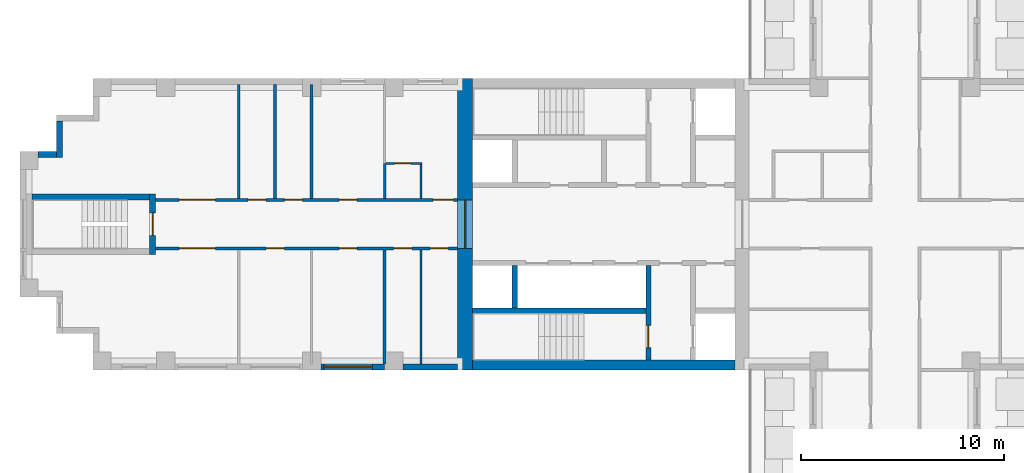
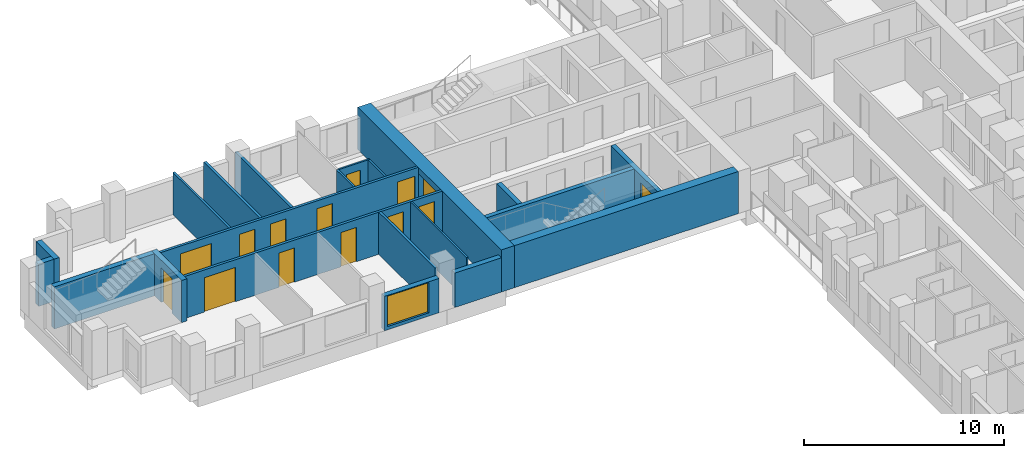
# One storey, part 6 of 16: 21 walls, 14 doors, 1 window, 15 openings.
"""IFC4 building model written with IfcOpenShell, lengths in metres."""

from ifc_helpers import new_model, si_unit, direction, frame, frame_2d, origin, place, context, subcontext, project, spatial, rectangle, extrude, material, layer, layer_set, type_object, element, fill, save


model = new_model("IFC4")

# Units and contexts
model_context = context("Model", 3, precision=1e-05, world=origin(), true_north=direction((0.0, 1.0)))
body_context = subcontext(model_context, "Body", "Model", "MODEL_VIEW")
ifc_project = project(units=[si_unit("LENGTHUNIT", "METRE"), si_unit("AREAUNIT", "SQUARE_METRE"), si_unit("VOLUMEUNIT", "CUBIC_METRE"), si_unit("PLANEANGLEUNIT", "RADIAN"), si_unit("MASSUNIT", "GRAM", prefix="KILO")], contexts=[model_context])

# Site, building, storey
site_placement = place(None, origin())
site = spatial("IfcSite", under=ifc_project, at=site_placement, CompositionType="ELEMENT")
building_placement = place(site_placement, origin())
building = spatial("IfcBuilding", under=site, at=building_placement, Name="Fustian Cross Tower", CompositionType="ELEMENT")
storey_placement = place(building_placement, frame((0.0, 0.0, 23.699951171875)))
storey = spatial("IfcBuildingStorey", under=building, at=storey_placement, Name="L06", CompositionType="ELEMENT", Elevation=23.699951171875)

# Wall, openings, doors
ifc_material_1 = material(Name="Plasterboard on steel stud", Category="steel")
ifc_layer_1 = layer(ifc_material_1, 0.14990234375)
ifc_layer_set_1 = layer_set([ifc_layer_1], Name="Plasterboard on steel stud")
wall_type_1 = type_object("IfcWallType", Name="COMPARTMENT WALL 150 EI 60", PredefinedType="PARTITIONING", material=ifc_layer_set_1)
wall_1_placement = place(storey_placement, frame((-36.5, -1.199951171875, 0.0), z_axis=(0.0, 0.0, 1.0), x_axis=(1.0, 0.0, 0.0)))
wall_1 = element("IfcWall", 1, at=wall_1_placement, inside=storey, type_object=wall_type_1, Name="Partition 1", PredefinedType="PARTITIONING", context=body_context, shape_type="SweptSolid", body=[
    extrude(rectangle(XDim=14.89990234375, YDim=0.14990234375, at=frame_2d((7.449951171875, 0.0))), origin(), (0.0, 0.0, 1.0), 2.574951171875),
])
opening_1_placement = place(wall_1_placement, frame((13.550048828125, 0.0, 0.0)))
opening_1 = element("IfcOpeningElement", 2, at=opening_1_placement, cuts=wall_1, Name="Opening D05039", PredefinedType="OPENING", context=body_context, shape_type="SweptSolid", body=[
    extrude(rectangle(XDim=0.89990234375, YDim=2.10009765625, at=frame_2d((0.449951171875, 1.050048828125))), frame((0.0, 0.0849609375, 0.0), z_axis=(0.0, -1.0, 0.0), x_axis=(1.0, 0.0, 0.0)), (0.0, 0.0, 1.0), 0.169921875),
])
opening_2_placement = place(wall_1_placement, frame((11.75, 0.0, 0.0)))
opening_2 = element("IfcOpeningElement", 3, at=opening_2_placement, cuts=wall_1, Name="Opening D05040", PredefinedType="OPENING", context=body_context, shape_type="SweptSolid", body=[
    extrude(rectangle(XDim=0.89990234375, YDim=2.10009765625, at=frame_2d((0.449951171875, 1.050048828125))), frame((0.0, 0.0849609375, 0.0), z_axis=(0.0, -1.0, 0.0), x_axis=(1.0, 0.0, 0.0)), (0.0, 0.0, 1.0), 0.169921875),
])
opening_3_placement = place(wall_1_placement, frame((9.050048828125, 0.0, 0.0)))
opening_3 = element("IfcOpeningElement", 4, at=opening_3_placement, cuts=wall_1, Name="Opening D05041", PredefinedType="OPENING", context=body_context, shape_type="SweptSolid", body=[
    extrude(rectangle(XDim=0.89990234375, YDim=2.10009765625, at=frame_2d((0.449951171875, 1.050048828125))), frame((0.0, 0.0849609375, 0.0), z_axis=(0.0, -1.0, 0.0), x_axis=(1.0, 0.0, 0.0)), (0.0, 0.0, 1.0), 0.169921875),
])
opening_4_placement = place(wall_1_placement, frame((5.449951171875, 0.0, 0.0)))
opening_4 = element("IfcOpeningElement", 5, at=opening_4_placement, cuts=wall_1, Name="Opening D05042", PredefinedType="OPENING", context=body_context, shape_type="SweptSolid", body=[
    extrude(rectangle(XDim=0.89990234375, YDim=2.10009765625, at=frame_2d((0.449951171875, 1.050048828125))), frame((0.0, 0.0849609375, 0.0), z_axis=(0.0, -1.0, 0.0), x_axis=(1.0, 0.0, 0.0)), (0.0, 0.0, 1.0), 0.169921875),
])
opening_5_placement = place(wall_1_placement, frame((1.14990234375, 0.0, 0.0)))
opening_5 = element("IfcOpeningElement", 6, at=opening_5_placement, cuts=wall_1, Name="Opening D05043", PredefinedType="OPENING", context=body_context, shape_type="SweptSolid", body=[
    extrude(rectangle(XDim=1.800048828125, YDim=2.10009765625, at=frame_2d((0.89990234375, 1.050048828125))), frame((0.0, 0.0849609375, 0.0), z_axis=(0.0, -1.0, 0.0), x_axis=(1.0, 0.0, 0.0)), (0.0, 0.0, 1.0), 0.169921875),
])
ifc_material_2 = material(Name="Timber fire door set", Category="wood")
door_type_1 = type_object("IfcDoorType", Name="FIRE DOUBLE DOOR 1800 FD30S", OperationType="DOUBLE_DOOR_DOUBLE_SWING", PredefinedType="DOOR", material=ifc_material_2)
door_1_placement = place(opening_5_placement, origin())
door_1 = element("IfcDoor", 7, at=door_1_placement, inside=storey, type_object=door_type_1, Name="Door D05043", OperationType="DOUBLE_DOOR_DOUBLE_SWING", OverallHeight=2.10009765625, OverallWidth=1.800048828125, PredefinedType="DOOR", context=body_context, shape_type="SweptSolid", body=[
    extrude(rectangle(XDim=1.800048828125, YDim=2.10009765625, at=frame_2d((0.89990234375, 1.050048828125))), frame((0.0, 0.02490234375, 0.0), z_axis=(0.0, -1.0, 0.0), x_axis=(1.0, 0.0, 0.0)), (0.0, 0.0, 1.0), 0.050048828125),
])
fill(opening_5, door_1)
ifc_material_3 = material(Name="Timber fire door set", Category="wood")
door_type_2 = type_object("IfcDoorType", Name="FIRE SWING DOOR 900 FD30S", OperationType="SINGLE_SWING_LEFT", PredefinedType="DOOR", material=ifc_material_3)
door_2_placement = place(opening_1_placement, frame((0.89990234375, 0.0, 0.0), z_axis=(0.0, 0.0, 1.0), x_axis=(-1.0, 0.0, 0.0)))
door_2 = element("IfcDoor", 8, at=door_2_placement, inside=storey, type_object=door_type_2, Name="Door D05039", OperationType="SINGLE_SWING_LEFT", OverallHeight=2.10009765625, OverallWidth=0.89990234375, PredefinedType="DOOR", context=body_context, shape_type="SweptSolid", body=[
    extrude(rectangle(XDim=0.89990234375, YDim=2.10009765625, at=frame_2d((0.449951171875, 1.050048828125))), frame((0.0, 0.02490234375, 0.0), z_axis=(0.0, -1.0, 0.0), x_axis=(1.0, 0.0, 0.0)), (0.0, 0.0, 1.0), 0.050048828125),
])
fill(opening_1, door_2)
door_3_placement = place(opening_2_placement, frame((0.89990234375, 0.0, 0.0), z_axis=(0.0, 0.0, 1.0), x_axis=(-1.0, 0.0, 0.0)))
door_3 = element("IfcDoor", 9, at=door_3_placement, inside=storey, type_object=door_type_2, Name="Door D05040", OperationType="SINGLE_SWING_LEFT", OverallHeight=2.10009765625, OverallWidth=0.89990234375, PredefinedType="DOOR", context=body_context, shape_type="SweptSolid", body=[
    extrude(rectangle(XDim=0.89990234375, YDim=2.10009765625, at=frame_2d((0.449951171875, 1.050048828125))), frame((0.0, 0.02490234375, 0.0), z_axis=(0.0, -1.0, 0.0), x_axis=(1.0, 0.0, 0.0)), (0.0, 0.0, 1.0), 0.050048828125),
])
fill(opening_2, door_3)
door_4_placement = place(opening_3_placement, frame((0.89990234375, 0.0, 0.0), z_axis=(0.0, 0.0, 1.0), x_axis=(-1.0, 0.0, 0.0)))
door_4 = element("IfcDoor", 10, at=door_4_placement, inside=storey, type_object=door_type_2, Name="Door D05041", OperationType="SINGLE_SWING_RIGHT", OverallHeight=2.10009765625, OverallWidth=0.89990234375, PredefinedType="DOOR", context=body_context, shape_type="SweptSolid", body=[
    extrude(rectangle(XDim=0.89990234375, YDim=2.10009765625, at=frame_2d((0.449951171875, 1.050048828125))), frame((0.0, 0.02490234375, 0.0), z_axis=(0.0, -1.0, 0.0), x_axis=(1.0, 0.0, 0.0)), (0.0, 0.0, 1.0), 0.050048828125),
])
fill(opening_3, door_4)
door_5_placement = place(opening_4_placement, frame((0.89990234375, 0.0, 0.0), z_axis=(0.0, 0.0, 1.0), x_axis=(-1.0, 0.0, 0.0)))
door_5 = element("IfcDoor", 11, at=door_5_placement, inside=storey, type_object=door_type_2, Name="Door D05042", OperationType="SINGLE_SWING_RIGHT", OverallHeight=2.10009765625, OverallWidth=0.89990234375, PredefinedType="DOOR", context=body_context, shape_type="SweptSolid", body=[
    extrude(rectangle(XDim=0.89990234375, YDim=2.10009765625, at=frame_2d((0.449951171875, 1.050048828125))), frame((0.0, 0.02490234375, 0.0), z_axis=(0.0, -1.0, 0.0), x_axis=(1.0, 0.0, 0.0)), (0.0, 0.0, 1.0), 0.050048828125),
])
fill(opening_4, door_5)

wall_2_placement = place(storey_placement, frame((-36.5, 1.199951171875, 0.0), z_axis=(0.0, 0.0, 1.0), x_axis=(1.0, 0.0, 0.0)))
wall_2 = element("IfcWall", 12, at=wall_2_placement, inside=storey, type_object=wall_type_1, Name="Partition 2", PredefinedType="PARTITIONING", context=body_context, shape_type="SweptSolid", body=[
    extrude(rectangle(XDim=14.89990234375, YDim=0.14990234375, at=frame_2d((7.449951171875, 0.0))), origin(), (0.0, 0.0, 1.0), 2.574951171875),
])
opening_6_placement = place(wall_2_placement, frame((13.699951171875, 0.0, 0.0)))
opening_6 = element("IfcOpeningElement", 13, at=opening_6_placement, cuts=wall_2, Name="Opening D05045", PredefinedType="OPENING", context=body_context, shape_type="SweptSolid", body=[
    extrude(rectangle(XDim=1.0, YDim=2.10009765625, at=frame_2d((0.5, 1.050048828125))), frame((0.0, 0.0849609375, 0.0), z_axis=(0.0, -1.0, 0.0), x_axis=(1.0, 0.0, 0.0)), (0.0, 0.0, 1.0), 0.169921875),
])
opening_7_placement = place(wall_2_placement, frame((9.050048828125, 0.0, 0.0)))
opening_7 = element("IfcOpeningElement", 14, at=opening_7_placement, cuts=wall_2, Name="Opening D05046", PredefinedType="OPENING", context=body_context, shape_type="SweptSolid", body=[
    extrude(rectangle(XDim=0.89990234375, YDim=2.10009765625, at=frame_2d((0.449951171875, 1.050048828125))), frame((0.0, 0.0849609375, 0.0), z_axis=(0.0, -1.0, 0.0), x_axis=(1.0, 0.0, 0.0)), (0.0, 0.0, 1.0), 0.169921875),
])
opening_8_placement = place(wall_2_placement, frame((6.35009765625, 0.0, 0.0)))
opening_8 = element("IfcOpeningElement", 15, at=opening_8_placement, cuts=wall_2, Name="Opening D05047", PredefinedType="OPENING", context=body_context, shape_type="SweptSolid", body=[
    extrude(rectangle(XDim=0.89990234375, YDim=2.10009765625, at=frame_2d((0.449951171875, 1.050048828125))), frame((0.0, 0.0849609375, 0.0), z_axis=(0.0, -1.0, 0.0), x_axis=(1.0, 0.0, 0.0)), (0.0, 0.0, 1.0), 0.169921875),
])
opening_9_placement = place(wall_2_placement, frame((4.550048828125, 0.0, 0.0)))
opening_9 = element("IfcOpeningElement", 16, at=opening_9_placement, cuts=wall_2, Name="Opening D05048", PredefinedType="OPENING", context=body_context, shape_type="SweptSolid", body=[
    extrude(rectangle(XDim=0.89990234375, YDim=2.10009765625, at=frame_2d((0.449951171875, 1.050048828125))), frame((0.0, 0.0849609375, 0.0), z_axis=(0.0, -1.0, 0.0), x_axis=(1.0, 0.0, 0.0)), (0.0, 0.0, 1.0), 0.169921875),
])
opening_10_placement = place(wall_2_placement, frame((1.14990234375, 0.0, 0.0)))
opening_10 = element("IfcOpeningElement", 17, at=opening_10_placement, cuts=wall_2, Name="Opening D05049", PredefinedType="OPENING", context=body_context, shape_type="SweptSolid", body=[
    extrude(rectangle(XDim=1.800048828125, YDim=2.10009765625, at=frame_2d((0.89990234375, 1.050048828125))), frame((0.0, 0.0849609375, 0.0), z_axis=(0.0, -1.0, 0.0), x_axis=(1.0, 0.0, 0.0)), (0.0, 0.0, 1.0), 0.169921875),
])
door_6_placement = place(opening_10_placement, frame((1.800048828125, 0.0, 0.0), z_axis=(0.0, 0.0, 1.0), x_axis=(-1.0, 0.0, 0.0)))
door_6 = element("IfcDoor", 18, at=door_6_placement, inside=storey, type_object=door_type_1, Name="Door D05049", OperationType="DOUBLE_DOOR_DOUBLE_SWING", OverallHeight=2.10009765625, OverallWidth=1.800048828125, PredefinedType="DOOR", context=body_context, shape_type="SweptSolid", body=[
    extrude(rectangle(XDim=1.800048828125, YDim=2.10009765625, at=frame_2d((0.89990234375, 1.050048828125))), frame((0.0, 0.02490234375, 0.0), z_axis=(0.0, -1.0, 0.0), x_axis=(1.0, 0.0, 0.0)), (0.0, 0.0, 1.0), 0.050048828125),
])
fill(opening_10, door_6)
ifc_material_4 = material(Name="Timber fire door set", Category="wood")
door_type_3 = type_object("IfcDoorType", Name="FIRE SWING DOOR 1000 FD30S", OperationType="SINGLE_SWING_LEFT", PredefinedType="DOOR", material=ifc_material_4)
door_7_placement = place(opening_6_placement, origin())
door_7 = element("IfcDoor", 19, at=door_7_placement, inside=storey, type_object=door_type_3, Name="Door D05045", OperationType="SINGLE_SWING_RIGHT", OverallHeight=2.10009765625, OverallWidth=1.0, PredefinedType="DOOR", context=body_context, shape_type="SweptSolid", body=[
    extrude(rectangle(XDim=1.0, YDim=2.10009765625, at=frame_2d((0.5, 1.050048828125))), frame((0.0, 0.02490234375, 0.0), z_axis=(0.0, -1.0, 0.0), x_axis=(1.0, 0.0, 0.0)), (0.0, 0.0, 1.0), 0.050048828125),
])
fill(opening_6, door_7)
door_8_placement = place(opening_7_placement, origin())
door_8 = element("IfcDoor", 20, at=door_8_placement, inside=storey, type_object=door_type_2, Name="Door D05046", OperationType="SINGLE_SWING_LEFT", OverallHeight=2.10009765625, OverallWidth=0.89990234375, PredefinedType="DOOR", context=body_context, shape_type="SweptSolid", body=[
    extrude(rectangle(XDim=0.89990234375, YDim=2.10009765625, at=frame_2d((0.449951171875, 1.050048828125))), frame((0.0, 0.02490234375, 0.0), z_axis=(0.0, -1.0, 0.0), x_axis=(1.0, 0.0, 0.0)), (0.0, 0.0, 1.0), 0.050048828125),
])
fill(opening_7, door_8)
door_9_placement = place(opening_8_placement, origin())
door_9 = element("IfcDoor", 21, at=door_9_placement, inside=storey, type_object=door_type_2, Name="Door D05047", OperationType="SINGLE_SWING_RIGHT", OverallHeight=2.10009765625, OverallWidth=0.89990234375, PredefinedType="DOOR", context=body_context, shape_type="SweptSolid", body=[
    extrude(rectangle(XDim=0.89990234375, YDim=2.10009765625, at=frame_2d((0.449951171875, 1.050048828125))), frame((0.0, 0.02490234375, 0.0), z_axis=(0.0, -1.0, 0.0), x_axis=(1.0, 0.0, 0.0)), (0.0, 0.0, 1.0), 0.050048828125),
])
fill(opening_8, door_9)
door_10_placement = place(opening_9_placement, origin())
door_10 = element("IfcDoor", 22, at=door_10_placement, inside=storey, type_object=door_type_2, Name="Door D05048", OperationType="SINGLE_SWING_RIGHT", OverallHeight=2.10009765625, OverallWidth=0.89990234375, PredefinedType="DOOR", context=body_context, shape_type="SweptSolid", body=[
    extrude(rectangle(XDim=0.89990234375, YDim=2.10009765625, at=frame_2d((0.449951171875, 1.050048828125))), frame((0.0, 0.02490234375, 0.0), z_axis=(0.0, -1.0, 0.0), x_axis=(1.0, 0.0, 0.0)), (0.0, 0.0, 1.0), 0.050048828125),
])
fill(opening_9, door_10)

# Walls
for number, where, z_axis, x_axis, name in (
    (23, (-30.60009765625, 1.27490234375, 0.0), (0.0, 0.0, 1.0), (0.0, 1.0, 0.0), "Partition 5"),
    (24, (-28.800048828125, 1.27490234375, 0.0), (0.0, 0.0, 1.0), (0.0, 1.0, 0.0), "Partition 7"),
    (25, (-25.199951171875, -6.89990234375, 0.0), (0.0, 0.0, 1.0), (0.0, 1.0, 0.0), "Partition 8"),
):
    element("IfcWall", number, at=place(storey_placement, frame(where, z_axis=z_axis, x_axis=x_axis)), inside=storey, type_object=wall_type_1, Name=name, PredefinedType="PARTITIONING", context=body_context, shape_type="SweptSolid", body=[
        extrude(rectangle(XDim=5.625, YDim=0.14990234375, at=frame_2d((2.8125, 0.0))), origin(), (0.0, 0.0, 1.0), 2.574951171875),
    ])

# Wall, opening, door
ifc_material_5 = material(Name="Concrete C80/95", Category="concrete")
ifc_layer_2 = layer(ifc_material_5, 0.75)
ifc_layer_set_2 = layer_set([ifc_layer_2], Name="Concrete C80/95")
wall_type_2 = type_object("IfcWallType", Name="CORE END WALL 750 C80/95", PredefinedType="SHEAR", material=ifc_layer_set_2)
wall_3_placement = place(storey_placement, frame((-21.22509765625, -7.199951171875, 0.0), z_axis=(0.0, 0.0, 1.0), x_axis=(0.0, 1.0, 0.0)))
wall_3 = element("IfcWall", 26, at=wall_3_placement, inside=storey, type_object=wall_type_2, Name="Core end wall", PredefinedType="SHEAR", context=body_context, shape_type="SweptSolid", body=[
    extrude(rectangle(XDim=14.39990234375, YDim=0.75, at=frame_2d((7.199951171875, 0.0))), origin(), (0.0, 0.0, 1.0), 2.574951171875),
])
opening_11_placement = place(wall_3_placement, frame((6.0, 0.0, 0.0)))
opening_11 = element("IfcOpeningElement", 27, at=opening_11_placement, cuts=wall_3, Name="Opening CD-05-28", PredefinedType="OPENING", context=body_context, shape_type="SweptSolid", body=[
    extrude(rectangle(XDim=2.39990234375, YDim=2.199951171875, at=frame_2d((1.199951171875, 1.10009765625))), frame((0.0, 0.385009765625, 0.0), z_axis=(0.0, -1.0, 0.0), x_axis=(1.0, 0.0, 0.0)), (0.0, 0.0, 1.0), 0.77001953125),
])
ifc_material_6 = material(Name="Steel", Category="steel")
door_type_4 = type_object("IfcDoorType", Name="FIRE DOOR FD30S DOUBLE 2400X2200", OperationType="DOUBLE_DOOR_DOUBLE_SWING", PredefinedType="DOOR", material=ifc_material_6)
door_11_placement = place(opening_11_placement, frame((2.39990234375, 0.0, 0.0), z_axis=(0.0, 0.0, 1.0), x_axis=(-1.0, 0.0, 0.0)))
door_11 = element("IfcDoor", 28, at=door_11_placement, inside=storey, type_object=door_type_4, Name="Core door CD-05-28", OperationType="DOUBLE_DOOR_DOUBLE_SWING", OverallHeight=2.199951171875, OverallWidth=2.39990234375, PredefinedType="DOOR", context=body_context, shape_type="SweptSolid", body=[
    extrude(rectangle(XDim=2.39990234375, YDim=2.199951171875, at=frame_2d((1.199951171875, 1.10009765625))), frame((0.0, 0.02490234375, 0.0), z_axis=(0.0, -1.0, 0.0), x_axis=(1.0, 0.0, 0.0)), (0.0, 0.0, 1.0), 0.050048828125),
])
fill(opening_11, door_11)

# Walls
ifc_material_7 = material(Name="Concrete C80/95", Category="concrete")
ifc_layer_3 = layer(ifc_material_7, 0.5)
ifc_layer_set_3 = layer_set([ifc_layer_3], Name="Concrete C80/95")
wall_type_3 = type_object("IfcWallType", Name="CORE FACADE WALL 500 C80/95", PredefinedType="SHEAR", material=ifc_layer_set_3)
wall_4_placement = place(storey_placement, frame((-7.89990234375, -6.949951171875, 0.0), z_axis=(0.0, 0.0, 1.0), x_axis=(-1.0, 0.0, 0.0)))
element("IfcWall", 29, at=wall_4_placement, inside=storey, type_object=wall_type_3, Name="Core facade wall", PredefinedType="SHEAR", context=body_context, shape_type="SweptSolid", body=[
    extrude(rectangle(XDim=12.9501953125, YDim=0.5, at=frame_2d((6.47509765625, 0.0))), origin(), (0.0, 0.0, 1.0), 2.574951171875),
])
ifc_material_8 = material(Name="Concrete C50/60", Category="concrete")
ifc_layer_4 = layer(ifc_material_8, 0.25)
ifc_layer_set_4 = layer_set([ifc_layer_4], Name="Concrete C50/60")
wall_type_4 = type_object("IfcWallType", Name="CORE SHAFT WALL 250 C50/60", PredefinedType="SHEAR", material=ifc_layer_set_4)
wall_5_placement = place(storey_placement, frame((-12.300048828125, -4.27490234375, 0.0), z_axis=(0.0, 0.0, 1.0), x_axis=(-1.0, 0.0, 0.0)))
element("IfcWall", 30, at=wall_5_placement, inside=storey, type_object=wall_type_4, Name="Core shaft wall", PredefinedType="SHEAR", context=body_context, shape_type="SweptSolid", body=[
    extrude(rectangle(XDim=8.550048828125, YDim=0.25, at=frame_2d((4.27490234375, 0.0))), origin(), (0.0, 0.0, 1.0), 2.574951171875),
])

# Wall, opening, door
wall_6_placement = place(storey_placement, frame((-12.175048828125, -2.050048828125, 0.0), z_axis=(0.0, 0.0, 1.0), x_axis=(0.0, -1.0, 0.0)))
wall_6 = element("IfcWall", 31, at=wall_6_placement, inside=storey, type_object=wall_type_4, Name="Core shaft wall", PredefinedType="SHEAR", context=body_context, shape_type="SweptSolid", body=[
    extrude(rectangle(XDim=4.64990234375, YDim=0.25, at=frame_2d((2.324951171875, 0.0))), origin(), (0.0, 0.0, 1.0), 2.574951171875),
])
opening_12_placement = place(wall_6_placement, frame((2.949951171875, 0.0, 0.0)))
opening_12 = element("IfcOpeningElement", 32, at=opening_12_placement, cuts=wall_6, Name="Opening CD-05-22", PredefinedType="OPENING", context=body_context, shape_type="SweptSolid", body=[
    extrude(rectangle(XDim=1.10009765625, YDim=2.10009765625, at=frame_2d((0.550048828125, 1.050048828125))), frame((0.0, 0.135009765625, 0.0), z_axis=(0.0, -1.0, 0.0), x_axis=(1.0, 0.0, 0.0)), (0.0, 0.0, 1.0), 0.27001953125),
])
ifc_material_9 = material(Name="Steel", Category="steel")
door_type_5 = type_object("IfcDoorType", Name="FIRE DOOR FD60S 1100X2100", OperationType="SINGLE_SWING_LEFT", PredefinedType="DOOR", material=ifc_material_9)
door_12_placement = place(opening_12_placement, frame((1.10009765625, 0.0, 0.0), z_axis=(0.0, 0.0, 1.0), x_axis=(-1.0, 0.0, 0.0)))
door_12 = element("IfcDoor", 33, at=door_12_placement, inside=storey, type_object=door_type_5, Name="Core door CD-05-22", OperationType="SINGLE_SWING_RIGHT", OverallHeight=2.10009765625, OverallWidth=1.10009765625, PredefinedType="DOOR", context=body_context, shape_type="SweptSolid", body=[
    extrude(rectangle(XDim=1.10009765625, YDim=2.10009765625, at=frame_2d((0.550048828125, 1.050048828125))), frame((0.0, 0.02490234375, 0.0), z_axis=(0.0, -1.0, 0.0), x_axis=(1.0, 0.0, 0.0)), (0.0, 0.0, 1.0), 0.050048828125),
])
fill(opening_12, door_12)

ifc_material_10 = material(Name="Plasterboard on steel stud", Category="steel")
ifc_layer_5 = layer(ifc_material_10, 0.10009765625)
ifc_layer_set_5 = layer_set([ifc_layer_5], Name="Plasterboard on steel stud")
wall_type_5 = type_object("IfcWallType", Name="PARTITION 100 STUD", PredefinedType="PARTITIONING", material=ifc_layer_set_5)
wall_7_placement = place(storey_placement, frame((-25.137451171875, 3.0, 0.0), z_axis=(0.0, 0.0, 1.0), x_axis=(1.0, 0.0, 0.0)))
wall_7 = element("IfcWall", 34, at=wall_7_placement, inside=storey, type_object=wall_type_5, Name="Partition 11", PredefinedType="PARTITIONING", context=body_context, shape_type="SweptSolid", body=[
    extrude(rectangle(XDim=1.787353515625, YDim=0.10009765625, at=frame_2d((0.8935546875, 0.0))), origin(), (0.0, 0.0, 1.0), 2.574951171875),
])
opening_13_placement = place(wall_7_placement, frame((0.4375, 0.0, 0.0)))
opening_13 = element("IfcOpeningElement", 35, at=opening_13_placement, cuts=wall_7, Name="Opening D05044", PredefinedType="OPENING", context=body_context, shape_type="SweptSolid", body=[
    extrude(rectangle(XDim=0.800048828125, YDim=2.10009765625, at=frame_2d((0.39990234375, 1.050048828125))), frame((0.0, 0.06005859375, 0.0), z_axis=(0.0, -1.0, 0.0), x_axis=(1.0, 0.0, 0.0)), (0.0, 0.0, 1.0), 0.1201171875),
])
ifc_material_11 = material(Name="Painted timber", Category="wood")
door_type_6 = type_object("IfcDoorType", Name="SWING DOOR 800", OperationType="SINGLE_SWING_LEFT", PredefinedType="DOOR", material=ifc_material_11)
door_13_placement = place(opening_13_placement, frame((0.800048828125, 0.0, 0.0), z_axis=(0.0, 0.0, 1.0), x_axis=(-1.0, 0.0, 0.0)))
door_13 = element("IfcDoor", 36, at=door_13_placement, inside=storey, type_object=door_type_6, Name="Door D05044", OperationType="SINGLE_SWING_LEFT", OverallHeight=2.10009765625, OverallWidth=0.800048828125, PredefinedType="DOOR", context=body_context, shape_type="SweptSolid", body=[
    extrude(rectangle(XDim=0.800048828125, YDim=2.10009765625, at=frame_2d((0.39990234375, 1.050048828125))), frame((0.0, 0.02490234375, 0.0), z_axis=(0.0, -1.0, 0.0), x_axis=(1.0, 0.0, 0.0)), (0.0, 0.0, 1.0), 0.050048828125),
])
fill(opening_13, door_13)

# Walls
wall_8_placement = place(storey_placement, frame((-23.39990234375, -6.89990234375, 0.0), z_axis=(0.0, 0.0, 1.0), x_axis=(0.0, 1.0, 0.0)))
element("IfcWall", 37, at=wall_8_placement, inside=storey, type_object=wall_type_5, Name="Partition 12", PredefinedType="PARTITIONING", context=body_context, shape_type="SweptSolid", body=[
    extrude(rectangle(XDim=5.625, YDim=0.10009765625, at=frame_2d((2.8125, 0.0))), origin(), (0.0, 0.0, 1.0), 2.574951171875),
])
wall_9_placement = place(storey_placement, frame((-23.39990234375, 1.27490234375, 0.0), z_axis=(0.0, 0.0, 1.0), x_axis=(0.0, 1.0, 0.0)))
element("IfcWall", 38, at=wall_9_placement, inside=storey, type_object=wall_type_5, Name="Partition 13", PredefinedType="PARTITIONING", context=body_context, shape_type="SweptSolid", body=[
    extrude(rectangle(XDim=1.675048828125, YDim=0.10009765625, at=frame_2d((0.83740234375, 0.0))), origin(), (0.0, 0.0, 1.0), 2.574951171875),
])
ifc_material_12 = material(Name="Concrete C40/50", Category="concrete")
ifc_layer_6 = layer(ifc_material_12, 0.25)
ifc_layer_set_6 = layer_set([ifc_layer_6], Name="Concrete C40/50")
wall_type_6 = type_object("IfcWallType", Name="SHAFT PARTITION WALL 250 C40/50", PredefinedType="PARTITIONING", material=ifc_layer_set_6)
wall_10_placement = place(storey_placement, frame((-18.77490234375, -2.050048828125, 0.0), z_axis=(0.0, 0.0, 1.0), x_axis=(0.0, -1.0, 0.0)))
element("IfcWall", 39, at=wall_10_placement, inside=storey, type_object=wall_type_6, Name="Core shaft wall", PredefinedType="PARTITIONING", context=body_context, shape_type="SweptSolid", body=[
    extrude(rectangle(XDim=2.099853515625, YDim=0.25, at=frame_2d((1.0498046875, 0.0))), origin(), (0.0, 0.0, 1.0), 2.574951171875),
])

# Wall, opening, door
ifc_material_13 = material(Name="Concrete C50/60", Category="concrete")
ifc_layer_7 = layer(ifc_material_13, 0.300048828125)
ifc_layer_set_7 = layer_set([ifc_layer_7], Name="Concrete C50/60")
wall_type_7 = type_object("IfcWallType", Name="STAIR ENCLOSURE WALL 300 C50/60", PredefinedType="SHEAR", material=ifc_layer_set_7)
wall_11_placement = place(storey_placement, frame((-36.64990234375, -1.5, 0.0), z_axis=(0.0, 0.0, 1.0), x_axis=(0.0, 1.0, 0.0)))
wall_11 = element("IfcWall", 40, at=wall_11_placement, inside=storey, type_object=wall_type_7, Name="Stair enclosure wall", PredefinedType="SHEAR", context=body_context, shape_type="SweptSolid", body=[
    extrude(rectangle(XDim=3.0, YDim=0.300048828125, at=frame_2d((1.5, 0.0))), origin(), (0.0, 0.0, 1.0), 2.574951171875),
])
opening_14_placement = place(wall_11_placement, frame((0.949951171875, 0.0, 0.0)))
opening_14 = element("IfcOpeningElement", 41, at=opening_14_placement, cuts=wall_11, Name="Opening CD-05-34", PredefinedType="OPENING", context=body_context, shape_type="SweptSolid", body=[
    extrude(rectangle(XDim=1.10009765625, YDim=2.10009765625, at=frame_2d((0.550048828125, 1.050048828125))), frame((0.0, 0.159912109375, 0.0), z_axis=(0.0, -1.0, 0.0), x_axis=(1.0, 0.0, 0.0)), (0.0, 0.0, 1.0), 0.320068359375),
])
door_14_placement = place(opening_14_placement, origin())
door_14 = element("IfcDoor", 42, at=door_14_placement, inside=storey, type_object=door_type_5, Name="Core door CD-05-34", OperationType="SINGLE_SWING_LEFT", OverallHeight=2.10009765625, OverallWidth=1.10009765625, PredefinedType="DOOR", context=body_context, shape_type="SweptSolid", body=[
    extrude(rectangle(XDim=1.10009765625, YDim=2.10009765625, at=frame_2d((0.550048828125, 1.050048828125))), frame((0.0, 0.02490234375, 0.0), z_axis=(0.0, -1.0, 0.0), x_axis=(1.0, 0.0, 0.0)), (0.0, 0.0, 1.0), 0.050048828125),
])
fill(opening_14, door_14)

# Walls
wall_12_placement = place(storey_placement, frame((-36.800048828125, 1.35009765625, 0.0), z_axis=(0.0, 0.0, 1.0), x_axis=(-1.0, 0.0, 0.0)))
element("IfcWall", 43, at=wall_12_placement, inside=storey, type_object=wall_type_7, Name="Stair enclosure wall", PredefinedType="SHEAR", context=body_context, shape_type="SweptSolid", body=[
    extrude(rectangle(XDim=5.800048828125, YDim=0.300048828125, at=frame_2d((2.89990234375, 0.0))), origin(), (0.0, 0.0, 1.0), 2.574951171875),
])
ifc_material_14 = material(Name="Plasterboard on steel stud", Category="steel")
ifc_layer_8 = layer(ifc_material_14, 0.125)
ifc_layer_set_8 = layer_set([ifc_layer_8], Name="Plasterboard on steel stud")
wall_type_8 = type_object("IfcWallType", Name="WET WALL 125 STUD", PredefinedType="PARTITIONING", material=ifc_layer_set_8)
wall_13_placement = place(storey_placement, frame((-32.39990234375, 1.27490234375, 0.0), z_axis=(0.0, 0.0, 1.0), x_axis=(0.0, 1.0, 0.0)))
element("IfcWall", 44, at=wall_13_placement, inside=storey, type_object=wall_type_8, Name="Partition 4", PredefinedType="PARTITIONING", context=body_context, shape_type="SweptSolid", body=[
    extrude(rectangle(XDim=5.625, YDim=0.125, at=frame_2d((2.8125, 0.0))), origin(), (0.0, 0.0, 1.0), 2.574951171875),
])
wall_14_placement = place(storey_placement, frame((-25.199951171875, 1.27490234375, 0.0), z_axis=(0.0, 0.0, 1.0), x_axis=(0.0, 1.0, 0.0)))
element("IfcWall", 45, at=wall_14_placement, inside=storey, type_object=wall_type_8, Name="Partition 9", PredefinedType="PARTITIONING", context=body_context, shape_type="SweptSolid", body=[
    extrude(rectangle(XDim=1.72509765625, YDim=0.125, at=frame_2d((0.862548828125, 0.0))), origin(), (0.0, 0.0, 1.0), 2.574951171875),
])
ifc_material_15 = material(Name="Dark aluminium cladding on insulated backing wall", Category="aluminium")
ifc_layer_9 = layer(ifc_material_15, 0.300048828125)
ifc_layer_set_9 = layer_set([ifc_layer_9], Name="Dark aluminium cladding on insulated backing wall")
wall_type_9 = type_object("IfcWallType", Name="XW1 EXTERNAL WALL 300", PredefinedType="SOLIDWALL", material=ifc_layer_set_9)
wall_15_placement = place(storey_placement, frame((-41.25, 5.10009765625, 0.0), z_axis=(0.0, 0.0, 1.0), x_axis=(0.0, -1.0, 0.0)))
element("IfcWall", 46, at=wall_15_placement, inside=storey, type_object=wall_type_9, Name="External wall", PredefinedType="SOLIDWALL", context=body_context, shape_type="SweptSolid", body=[
    extrude(rectangle(XDim=1.800048828125, YDim=0.300048828125, at=frame_2d((0.89990234375, 0.0))), origin(), (0.0, 0.0, 1.0), 2.574951171875),
])
wall_16_placement = place(storey_placement, frame((-41.39990234375, 3.449951171875, 0.0), z_axis=(0.0, 0.0, 1.0), x_axis=(-1.0, 0.0, 0.0)))
element("IfcWall", 47, at=wall_16_placement, inside=storey, type_object=wall_type_9, Name="External wall", PredefinedType="SOLIDWALL", context=body_context, shape_type="SweptSolid", body=[
    extrude(rectangle(XDim=0.900146484375, YDim=0.300048828125, at=frame_2d((0.4501953125, 0.0))), origin(), (0.0, 0.0, 1.0), 2.574951171875),
])

# Wall, opening, window
wall_17_placement = place(storey_placement, frame((-28.35009765625, -7.050048828125, 0.0), z_axis=(0.0, 0.0, 1.0), x_axis=(1.0, 0.0, 0.0)))
wall_17 = element("IfcWall", 48, at=wall_17_placement, inside=storey, type_object=wall_type_9, Name="External wall", PredefinedType="SOLIDWALL", context=body_context, shape_type="SweptSolid", body=[
    extrude(rectangle(XDim=3.150146484375, YDim=0.300048828125, at=frame_2d((1.5751953125, 0.0))), origin(), (0.0, 0.0, 1.0), 2.10009765625),
])
opening_15_placement = place(wall_17_placement, frame((0.14990234375, 0.0, 0.199951171875)))
opening_15 = element("IfcOpeningElement", 49, at=opening_15_placement, cuts=wall_17, Name="Opening WN1", PredefinedType="OPENING", context=body_context, shape_type="SweptSolid", body=[
    extrude(rectangle(XDim=2.39990234375, YDim=1.85009765625, at=frame_2d((1.199951171875, 0.925048828125))), frame((0.0, 0.159912109375, 0.0), z_axis=(0.0, -1.0, 0.0), x_axis=(1.0, 0.0, 0.0)), (0.0, 0.0, 1.0), 0.320068359375),
])
ifc_material_16 = material(Name="Dark anodised aluminium and double glazing", Category="aluminium")
window_type = type_object("IfcWindowType", Name="WN1 WINDOW 2400X1850", PartitioningType="SINGLE_PANEL", PredefinedType="WINDOW", material=ifc_material_16)
window_placement = place(opening_15_placement, origin())
window = element("IfcWindow", 50, at=window_placement, inside=storey, type_object=window_type, Name="Window", OverallHeight=1.85009765625, OverallWidth=2.39990234375, PartitioningType="SINGLE_PANEL", PredefinedType="WINDOW", context=body_context, shape_type="SweptSolid", body=[
    extrude(rectangle(XDim=2.39990234375, YDim=1.85009765625, at=frame_2d((1.199951171875, 0.925048828125))), frame((0.0, 0.030029296875, 0.0), z_axis=(0.0, -1.0, 0.0), x_axis=(1.0, 0.0, 0.0)), (0.0, 0.0, 1.0), 0.06005859375),
])
fill(opening_15, window)

# Wall
wall_18_placement = place(storey_placement, frame((-24.300048828125, -7.050048828125, 0.0), z_axis=(0.0, 0.0, 1.0), x_axis=(1.0, 0.0, 0.0)))
element("IfcWall", 51, at=wall_18_placement, inside=storey, type_object=wall_type_9, Name="External wall", PredefinedType="SOLIDWALL", context=body_context, shape_type="SweptSolid", body=[
    extrude(rectangle(XDim=2.699951171875, YDim=0.300048828125, at=frame_2d((1.35009765625, 0.0))), origin(), (0.0, 0.0, 1.0), 2.10009765625),
])

save(model, "model.ifc")
